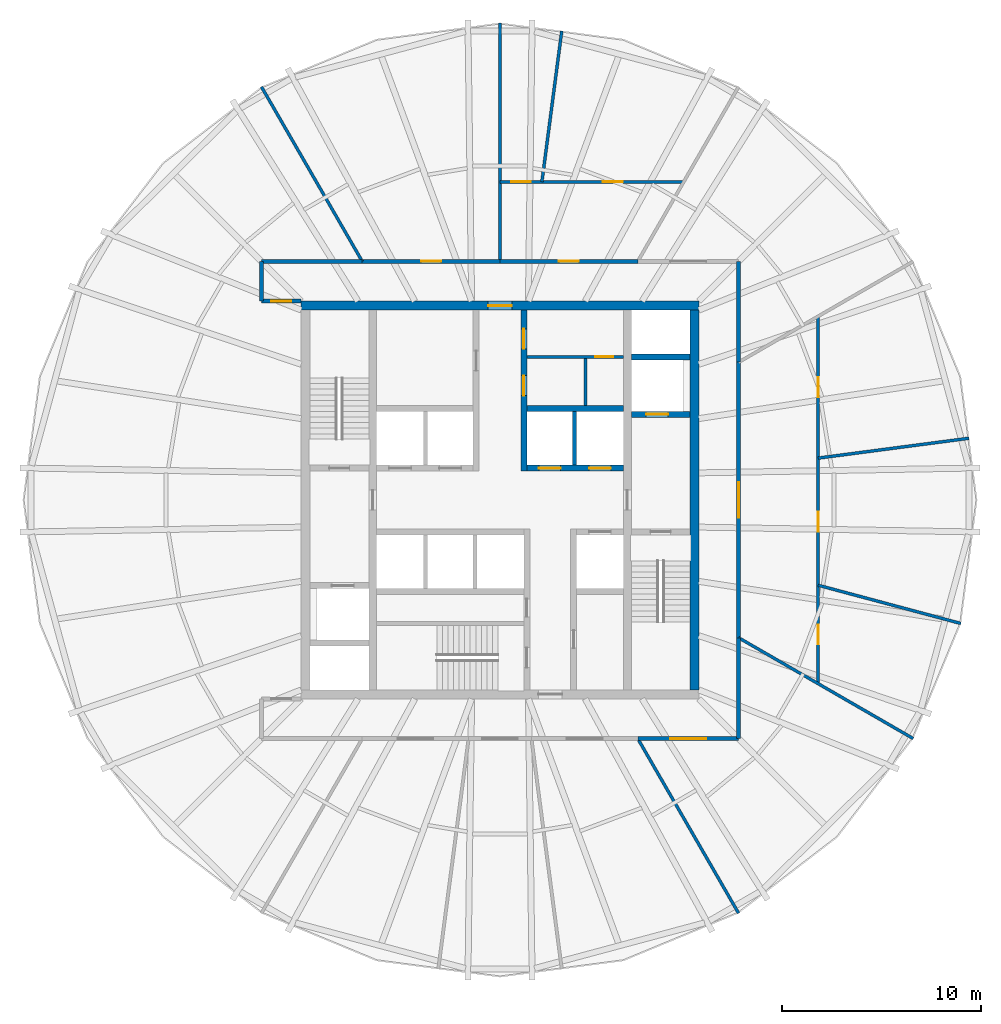
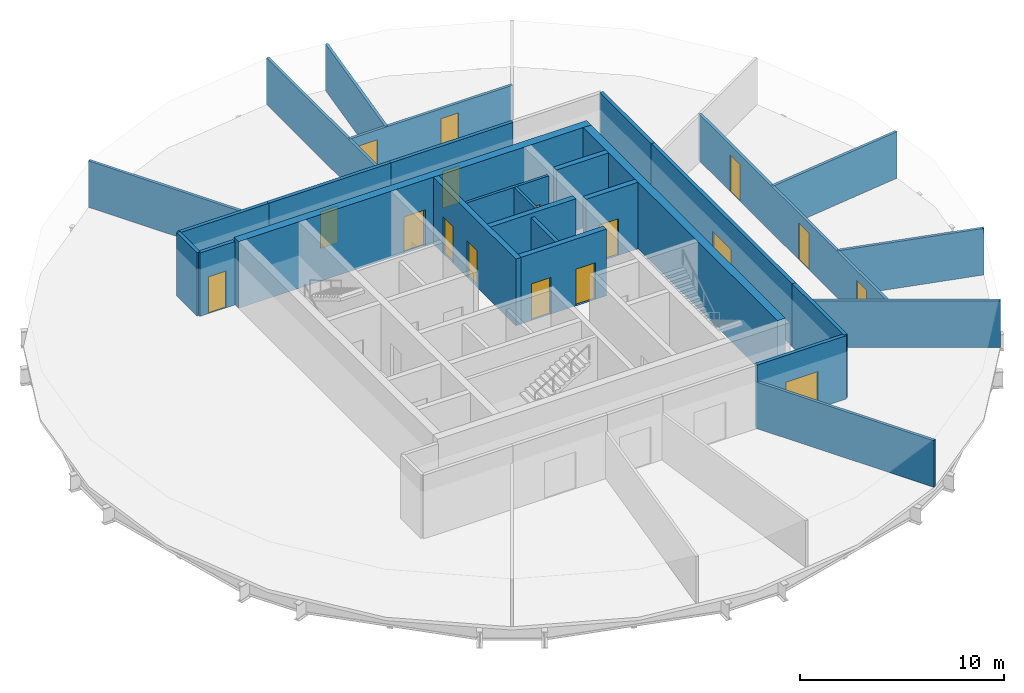
# One storey, part 4 of 6: 28 walls, 17 doors, 17 openings.
"""IFC4 building model written with IfcOpenShell, lengths in metres."""

from ifc_helpers import new_model, si_unit, direction, frame, frame_2d, origin, place, context, subcontext, project, spatial, rectangle, extrude, material, layer, layer_set, type_object, element, fill, save


model = new_model("IFC4")

# Units and contexts
model_context = context("Model", 3, precision=1e-05, world=origin(), true_north=direction((0.0, 1.0)))
body_context = subcontext(model_context, "Body", "Model", "MODEL_VIEW")
ifc_project = project(units=[si_unit("LENGTHUNIT", "METRE"), si_unit("AREAUNIT", "SQUARE_METRE"), si_unit("VOLUMEUNIT", "CUBIC_METRE"), si_unit("PLANEANGLEUNIT", "RADIAN"), si_unit("MASSUNIT", "GRAM", prefix="KILO")], contexts=[model_context])

# Site, building, storey
site_placement = place(None, origin())
site = spatial("IfcSite", under=ifc_project, at=site_placement, CompositionType="ELEMENT")
building_placement = place(site_placement, origin())
building = spatial("IfcBuilding", under=site, at=building_placement, Name="Golbaran Civic Tower", CompositionType="ELEMENT")
storey_placement = place(building_placement, frame((0.0, 0.0, 179.0)))
storey = spatial("IfcBuildingStorey", under=building, at=storey_placement, Name="L43", CompositionType="ELEMENT", Elevation=179.0)

# Wall, opening, door
ifc_material_1 = material(Name="Concrete block", Category="concrete")
ifc_layer_1 = layer(ifc_material_1, 0.14990234375, Name="Concrete block")
ifc_layer_set_1 = layer_set([ifc_layer_1], Name="Concrete block")
wall_type_1 = type_object("IfcWallType", Name="BLOCKWORK PARTITION 150", PredefinedType="PARTITIONING", material=ifc_layer_set_1)
wall_1_placement = place(storey_placement, frame((1.35009765625, 7.199951171875, 0.0), z_axis=(0.0, 0.0, 1.0), x_axis=(1.0, 0.0, 0.0)))
wall_1 = element("IfcWall", 1, at=wall_1_placement, inside=storey, type_object=wall_type_1, Name="Toilet block partition TN1 L43", PredefinedType="PARTITIONING", context=body_context, shape_type="SweptSolid", body=[
    extrude(rectangle(XDim=4.849853515625, YDim=0.14990234375, at=frame_2d((2.4248046875, 0.0))), origin(), (0.0, 0.0, 1.0), 3.75),
])
opening_1_placement = place(wall_1_placement, frame((3.449951171875, 0.0, 0.0)))
opening_1 = element("IfcOpeningElement", 2, at=opening_1_placement, cuts=wall_1, Name="Opening L43.CLN", PredefinedType="OPENING", context=body_context, shape_type="SweptSolid", body=[
    extrude(rectangle(XDim=0.89990234375, YDim=2.199951171875, at=frame_2d((0.449951171875, 1.10009765625))), frame((0.0, 0.0849609375, 0.0), z_axis=(0.0, -1.0, 0.0), x_axis=(1.0, 0.0, 0.0)), (0.0, 0.0, 1.0), 0.169921875),
])
ifc_material_2 = material(Name="Timber door set in steel frame", Category="steel")
door_type_1 = type_object("IfcDoorType", Name="RISER DOOR 900x2200", OperationType="SINGLE_SWING_LEFT", PredefinedType="DOOR", material=ifc_material_2)
door_1_placement = place(opening_1_placement, origin())
door_1 = element("IfcDoor", 3, at=door_1_placement, inside=storey, type_object=door_type_1, Name="Housekeeping Store door", OperationType="SINGLE_SWING_RIGHT", OverallHeight=2.199951171875, OverallWidth=0.89990234375, PredefinedType="DOOR", context=body_context, shape_type="SweptSolid", body=[
    extrude(rectangle(XDim=0.89990234375, YDim=2.199951171875, at=frame_2d((0.449951171875, 1.10009765625))), frame((0.0, 0.02490234375, 0.0), z_axis=(0.0, -1.0, 0.0), x_axis=(1.0, 0.0, 0.0)), (0.0, 0.0, 1.0), 0.050048828125),
])
fill(opening_1, door_1)

# Wall
wall_2_placement = place(storey_placement, frame((4.300048828125, 4.75, 0.0), z_axis=(0.0, 0.0, 1.0), x_axis=(0.0, 1.0, 0.0)))
element("IfcWall", 4, at=wall_2_placement, inside=storey, type_object=wall_type_1, Name="Toilet block partition TN2 L43", PredefinedType="PARTITIONING", context=body_context, shape_type="SweptSolid", body=[
    extrude(rectangle(XDim=2.375, YDim=0.14990234375, at=frame_2d((1.1875, 0.0))), origin(), (0.0, 0.0, 1.0), 3.75),
])

# Wall, opening, door
ifc_material_3 = material(Name="Concrete C50/60", Category="concrete")
ifc_layer_2 = layer(ifc_material_3, 0.449951171875, Name="Concrete C50/60")
ifc_layer_set_2 = layer_set([ifc_layer_2], Name="Concrete C50/60")
wall_type_2 = type_object("IfcWallType", Name="CORE WALL CONCRETE 450", PredefinedType="SOLIDWALL", material=ifc_layer_set_2)
wall_3_placement = place(storey_placement, frame((-10.0, 9.77490234375, 0.0), z_axis=(0.0, 0.0, 1.0), x_axis=(1.0, 0.0, 0.0)))
wall_3 = element("IfcWall", 5, at=wall_3_placement, inside=storey, type_object=wall_type_2, Name="Core wall CN L43", PredefinedType="SOLIDWALL", context=body_context, shape_type="SweptSolid", body=[
    extrude(rectangle(XDim=20.0, YDim=0.449951171875, at=frame_2d((10.0, 0.0))), origin(), (0.0, 0.0, 1.0), 4.0),
])
opening_2_placement = place(wall_3_placement, frame((9.39990234375, 0.0, 0.0)))
opening_2 = element("IfcOpeningElement", 6, at=opening_2_placement, cuts=wall_3, Name="Opening L43.CN", PredefinedType="OPENING", context=body_context, shape_type="SweptSolid", body=[
    extrude(rectangle(XDim=1.199951171875, YDim=2.199951171875, at=frame_2d((0.60009765625, 1.10009765625))), frame((0.0, 0.23486328125, 0.0), z_axis=(0.0, -1.0, 0.0), x_axis=(1.0, 0.0, 0.0)), (0.0, 0.0, 1.0), 0.469970703125),
])
door_type_2 = type_object("IfcDoorType", Name="CORE DOOR 1200x2200", OperationType="DOUBLE_DOOR_SINGLE_SWING", PredefinedType="DOOR", material=ifc_material_2)
door_2_placement = place(opening_2_placement, origin())
door_2 = element("IfcDoor", 7, at=door_2_placement, inside=storey, type_object=door_type_2, Name="Core door north", OperationType="DOUBLE_DOOR_SINGLE_SWING", OverallHeight=2.199951171875, OverallWidth=1.199951171875, PredefinedType="DOOR", context=body_context, shape_type="SweptSolid", body=[
    extrude(rectangle(XDim=1.199951171875, YDim=2.199951171875, at=frame_2d((0.60009765625, 1.10009765625))), frame((0.0, 0.02490234375, 0.0), z_axis=(0.0, -1.0, 0.0), x_axis=(1.0, 0.0, 0.0)), (0.0, 0.0, 1.0), 0.050048828125),
])
fill(opening_2, door_2)

# Wall
wall_4_placement = place(storey_placement, frame((9.77490234375, -9.550048828125, 0.0), z_axis=(0.0, 0.0, 1.0), x_axis=(0.0, 1.0, 0.0)))
element("IfcWall", 8, at=wall_4_placement, inside=storey, type_object=wall_type_2, Name="Core wall CE L43", PredefinedType="SOLIDWALL", context=body_context, shape_type="SweptSolid", body=[
    extrude(rectangle(XDim=19.10009765625, YDim=0.449951171875, at=frame_2d((9.550048828125, 0.0))), origin(), (0.0, 0.0, 1.0), 4.0),
])

# Wall, opening, door
ifc_material_4 = material(Name="Gypsum board on steel studs, fire-rated", Category="steel")
ifc_layer_3 = layer(ifc_material_4, 0.199951171875, Name="Gypsum board on steel studs, fire-rated")
ifc_layer_set_3 = layer_set([ifc_layer_3], Name="Gypsum board on steel studs, fire-rated")
wall_type_3 = type_object("IfcWallType", Name="CORRIDOR WALL 200", PredefinedType="PARTITIONING", material=ifc_layer_set_3)
wall_5_placement = place(storey_placement, frame((12.0, -6.92822265625, 0.0), z_axis=(0.0, 0.0, 1.0), x_axis=(0.0, 1.0, 0.0)))
wall_5 = element("IfcWall", 9, at=wall_5_placement, inside=storey, type_object=wall_type_3, Name="Corridor wall L43", PredefinedType="PARTITIONING", context=body_context, shape_type="SweptSolid", body=[
    extrude(rectangle(XDim=13.8564453125, YDim=0.199951171875, at=frame_2d((6.92822265625, 0.0))), origin(), (0.0, 0.0, 1.0), 3.800048828125),
])
opening_3_placement = place(wall_5_placement, frame((6.0283203125, 0.0, 0.0)))
opening_3 = element("IfcOpeningElement", 10, at=opening_3_placement, cuts=wall_5, Name="Opening L43.06", PredefinedType="OPENING", context=body_context, shape_type="SweptSolid", body=[
    extrude(rectangle(XDim=1.800048828125, YDim=2.199951171875, at=frame_2d((0.89990234375, 1.10009765625))), frame((0.0, 0.10986328125, 0.0), z_axis=(0.0, -1.0, 0.0), x_axis=(1.0, 0.0, 0.0)), (0.0, 0.0, 1.0), 0.219970703125),
])
door_type_3 = type_object("IfcDoorType", Name="OFFICE DOUBLE DOOR 1800x2200", OperationType="DOUBLE_DOOR_SINGLE_SWING", PredefinedType="DOOR", material=ifc_material_2)
door_3_placement = place(opening_3_placement, origin())
door_3 = element("IfcDoor", 11, at=door_3_placement, inside=storey, type_object=door_type_3, Name="Open Office door L43", OperationType="DOUBLE_DOOR_SINGLE_SWING", OverallHeight=2.199951171875, OverallWidth=1.800048828125, PredefinedType="DOOR", context=body_context, shape_type="SweptSolid", body=[
    extrude(rectangle(XDim=1.800048828125, YDim=2.199951171875, at=frame_2d((0.89990234375, 1.10009765625))), frame((0.0, 0.02490234375, 0.0), z_axis=(0.0, -1.0, 0.0), x_axis=(1.0, 0.0, 0.0)), (0.0, 0.0, 1.0), 0.050048828125),
])
fill(opening_3, door_3)

# Wall
wall_6_placement = place(storey_placement, frame((12.0, 6.92822265625, 0.0), z_axis=(0.0, 0.0, 1.0), x_axis=(0.0, 1.0, 0.0)))
element("IfcWall", 12, at=wall_6_placement, inside=storey, type_object=wall_type_3, Name="Corridor wall L43", PredefinedType="PARTITIONING", context=body_context, shape_type="SweptSolid", body=[
    extrude(rectangle(XDim=5.07177734375, YDim=0.199951171875, at=frame_2d((2.535888671875, 0.0))), origin(), (0.0, 0.0, 1.0), 3.800048828125),
])

# Wall, opening, door
wall_7_placement = place(storey_placement, frame((6.92822265625, 12.0, 0.0), z_axis=(0.0, 0.0, 1.0), x_axis=(-1.0, 0.0, 0.0)))
wall_7 = element("IfcWall", 13, at=wall_7_placement, inside=storey, type_object=wall_type_3, Name="Corridor wall L43", PredefinedType="PARTITIONING", context=body_context, shape_type="SweptSolid", body=[
    extrude(rectangle(XDim=6.92822265625, YDim=0.199951171875, at=frame_2d((3.464111328125, 0.0))), origin(), (0.0, 0.0, 1.0), 3.800048828125),
])
opening_4_placement = place(wall_7_placement, frame((2.964111328125, 0.0, 0.0)))
opening_4 = element("IfcOpeningElement", 14, at=opening_4_placement, cuts=wall_7, Name="Opening L43.08", PredefinedType="OPENING", context=body_context, shape_type="SweptSolid", body=[
    extrude(rectangle(XDim=1.0, YDim=2.199951171875, at=frame_2d((0.5, 1.10009765625))), frame((0.0, 0.10986328125, 0.0), z_axis=(0.0, -1.0, 0.0), x_axis=(1.0, 0.0, 0.0)), (0.0, 0.0, 1.0), 0.219970703125),
])
door_type_4 = type_object("IfcDoorType", Name="OFFICE DOOR 1000x2200", OperationType="SINGLE_SWING_LEFT", PredefinedType="DOOR", material=ifc_material_2)
door_4_placement = place(opening_4_placement, origin())
door_4 = element("IfcDoor", 15, at=door_4_placement, inside=storey, type_object=door_type_4, Name="Waiting Area door L43", OperationType="SINGLE_SWING_RIGHT", OverallHeight=2.199951171875, OverallWidth=1.0, PredefinedType="DOOR", context=body_context, shape_type="SweptSolid", body=[
    extrude(rectangle(XDim=1.0, YDim=2.199951171875, at=frame_2d((0.5, 1.10009765625))), frame((0.0, 0.02490234375, 0.0), z_axis=(0.0, -1.0, 0.0), x_axis=(1.0, 0.0, 0.0)), (0.0, 0.0, 1.0), 0.050048828125),
])
fill(opening_4, door_4)

wall_8_placement = place(storey_placement, frame((0.0, 12.0, 0.0), z_axis=(0.0, 0.0, 1.0), x_axis=(-1.0, 0.0, 0.0)))
wall_8 = element("IfcWall", 16, at=wall_8_placement, inside=storey, type_object=wall_type_3, Name="Corridor wall L43", PredefinedType="PARTITIONING", context=body_context, shape_type="SweptSolid", body=[
    extrude(rectangle(XDim=6.92822265625, YDim=0.199951171875, at=frame_2d((3.464111328125, 0.0))), origin(), (0.0, 0.0, 1.0), 3.800048828125),
])
opening_5_placement = place(wall_8_placement, frame((2.964111328125, 0.0, 0.0)))
opening_5 = element("IfcOpeningElement", 17, at=opening_5_placement, cuts=wall_8, Name="Opening L43.09", PredefinedType="OPENING", context=body_context, shape_type="SweptSolid", body=[
    extrude(rectangle(XDim=1.0, YDim=2.199951171875, at=frame_2d((0.5, 1.10009765625))), frame((0.0, 0.10986328125, 0.0), z_axis=(0.0, -1.0, 0.0), x_axis=(1.0, 0.0, 0.0)), (0.0, 0.0, 1.0), 0.219970703125),
])
door_5_placement = place(opening_5_placement, origin())
door_5 = element("IfcDoor", 18, at=door_5_placement, inside=storey, type_object=door_type_4, Name="Project Room door L43", OperationType="SINGLE_SWING_RIGHT", OverallHeight=2.199951171875, OverallWidth=1.0, PredefinedType="DOOR", context=body_context, shape_type="SweptSolid", body=[
    extrude(rectangle(XDim=1.0, YDim=2.199951171875, at=frame_2d((0.5, 1.10009765625))), frame((0.0, 0.02490234375, 0.0), z_axis=(0.0, -1.0, 0.0), x_axis=(1.0, 0.0, 0.0)), (0.0, 0.0, 1.0), 0.050048828125),
])
fill(opening_5, door_5)

# Walls
wall_9_placement = place(storey_placement, frame((-6.92822265625, 12.0, 0.0), z_axis=(0.0, 0.0, 1.0), x_axis=(-1.0, 0.0, 0.0)))
element("IfcWall", 19, at=wall_9_placement, inside=storey, type_object=wall_type_3, Name="Corridor wall L43", PredefinedType="PARTITIONING", context=body_context, shape_type="SweptSolid", body=[
    extrude(rectangle(XDim=5.07177734375, YDim=0.199951171875, at=frame_2d((2.535888671875, 0.0))), origin(), (0.0, 0.0, 1.0), 3.800048828125),
])
wall_10_placement = place(storey_placement, frame((-12.0, 12.0, 0.0), z_axis=(0.0, 0.0, 1.0), x_axis=(0.0, -1.0, 0.0)))
element("IfcWall", 20, at=wall_10_placement, inside=storey, type_object=wall_type_3, Name="Corridor wall L43", PredefinedType="PARTITIONING", context=body_context, shape_type="SweptSolid", body=[
    extrude(rectangle(XDim=2.0, YDim=0.199951171875, at=frame_2d((1.0, 0.0))), origin(), (0.0, 0.0, 1.0), 3.800048828125),
])

# Wall, opening, door
wall_11_placement = place(storey_placement, frame((6.92822265625, -12.0, 0.0), z_axis=(0.0, 0.0, 1.0), x_axis=(1.0, 0.0, 0.0)))
wall_11 = element("IfcWall", 21, at=wall_11_placement, inside=storey, type_object=wall_type_3, Name="Corridor wall L43", PredefinedType="PARTITIONING", context=body_context, shape_type="SweptSolid", body=[
    extrude(rectangle(XDim=5.07177734375, YDim=0.199951171875, at=frame_2d((2.535888671875, 0.0))), origin(), (0.0, 0.0, 1.0), 3.800048828125),
])
opening_6_placement = place(wall_11_placement, frame((1.635986328125, 0.0, 0.0)))
opening_6 = element("IfcOpeningElement", 22, at=opening_6_placement, cuts=wall_11, Name="Opening L43.13", PredefinedType="OPENING", context=body_context, shape_type="SweptSolid", body=[
    extrude(rectangle(XDim=1.800048828125, YDim=2.199951171875, at=frame_2d((0.89990234375, 1.10009765625))), frame((0.0, 0.10986328125, 0.0), z_axis=(0.0, -1.0, 0.0), x_axis=(1.0, 0.0, 0.0)), (0.0, 0.0, 1.0), 0.219970703125),
])
door_6_placement = place(opening_6_placement, origin())
door_6 = element("IfcDoor", 23, at=door_6_placement, inside=storey, type_object=door_type_3, Name="Open Office door L43", OperationType="DOUBLE_DOOR_SINGLE_SWING", OverallHeight=2.199951171875, OverallWidth=1.800048828125, PredefinedType="DOOR", context=body_context, shape_type="SweptSolid", body=[
    extrude(rectangle(XDim=1.800048828125, YDim=2.199951171875, at=frame_2d((0.89990234375, 1.10009765625))), frame((0.0, 0.02490234375, 0.0), z_axis=(0.0, -1.0, 0.0), x_axis=(1.0, 0.0, 0.0)), (0.0, 0.0, 1.0), 0.050048828125),
])
fill(opening_6, door_6)

# Wall
wall_12_placement = place(storey_placement, frame((12.0, -12.0, 0.0), z_axis=(0.0, 0.0, 1.0), x_axis=(0.0, 1.0, 0.0)))
element("IfcWall", 24, at=wall_12_placement, inside=storey, type_object=wall_type_3, Name="Corridor wall L43", PredefinedType="PARTITIONING", context=body_context, shape_type="SweptSolid", body=[
    extrude(rectangle(XDim=5.07177734375, YDim=0.199951171875, at=frame_2d((2.535888671875, 0.0))), origin(), (0.0, 0.0, 1.0), 3.800048828125),
])

# Wall, opening, door
wall_13_placement = place(storey_placement, frame((-10.0, 10.0, 0.0), z_axis=(0.0, 0.0, 1.0), x_axis=(-1.0, 0.0, 0.0)))
wall_13 = element("IfcWall", 25, at=wall_13_placement, inside=storey, type_object=wall_type_3, Name="Corridor end wall L43", PredefinedType="PARTITIONING", context=body_context, shape_type="SweptSolid", body=[
    extrude(rectangle(XDim=2.0, YDim=0.199951171875, at=frame_2d((1.0, 0.0))), origin(), (0.0, 0.0, 1.0), 3.800048828125),
])
opening_7_placement = place(wall_13_placement, frame((0.5, 0.0, 0.0)))
opening_7 = element("IfcOpeningElement", 26, at=opening_7_placement, cuts=wall_13, Name="Opening L43.15", PredefinedType="OPENING", context=body_context, shape_type="SweptSolid", body=[
    extrude(rectangle(XDim=1.0, YDim=2.199951171875, at=frame_2d((0.5, 1.10009765625))), frame((0.0, 0.10986328125, 0.0), z_axis=(0.0, -1.0, 0.0), x_axis=(1.0, 0.0, 0.0)), (0.0, 0.0, 1.0), 0.219970703125),
])
door_7_placement = place(opening_7_placement, origin())
door_7 = element("IfcDoor", 27, at=door_7_placement, inside=storey, type_object=door_type_4, Name="Open Office door L43", OperationType="SINGLE_SWING_RIGHT", OverallHeight=2.199951171875, OverallWidth=1.0, PredefinedType="DOOR", context=body_context, shape_type="SweptSolid", body=[
    extrude(rectangle(XDim=1.0, YDim=2.199951171875, at=frame_2d((0.5, 1.10009765625))), frame((0.0, 0.02490234375, 0.0), z_axis=(0.0, -1.0, 0.0), x_axis=(1.0, 0.0, 0.0)), (0.0, 0.0, 1.0), 0.050048828125),
])
fill(opening_7, door_7)

# Walls
ifc_layer_4 = layer(ifc_material_1, 0.199951171875, Name="Concrete block")
ifc_layer_set_4 = layer_set([ifc_layer_4], Name="Concrete block")
wall_type_4 = type_object("IfcWallType", Name="LIFT SEPARATOR WALL 200", PredefinedType="SOLIDWALL", material=ifc_layer_set_4)
wall_14_placement = place(storey_placement, frame((3.75, 1.75, 0.0), z_axis=(0.0, 0.0, 1.0), x_axis=(0.0, 1.0, 0.0)))
element("IfcWall", 28, at=wall_14_placement, inside=storey, type_object=wall_type_4, Name="Core partition SNE L43", PredefinedType="SOLIDWALL", context=body_context, shape_type="SweptSolid", body=[
    extrude(rectangle(XDim=2.699951171875, YDim=0.199951171875, at=frame_2d((1.35009765625, 0.0))), origin(), (0.0, 0.0, 1.0), 3.75),
])
ifc_material_5 = material(Name="Gypsum board on steel studs", Category="steel")
ifc_layer_5 = layer(ifc_material_5, 0.14990234375, Name="Gypsum board on steel studs")
ifc_layer_set_5 = layer_set([ifc_layer_5], Name="Gypsum board on steel studs")
wall_type_5 = type_object("IfcWallType", Name="OFFICE PARTITION 150", PredefinedType="PARTITIONING", material=ifc_layer_set_5)
wall_15_placement = place(storey_placement, frame((12.0, -6.92822265625, 0.0), z_axis=(0.0, 0.0, 1.0), x_axis=(0.866025941747, -0.49999906822, 0.0)))
element("IfcWall", 29, at=wall_15_placement, inside=storey, type_object=wall_type_5, Name="Partition 330 L43", PredefinedType="PARTITIONING", context=body_context, shape_type="SweptSolid", body=[
    extrude(rectangle(XDim=10.1357421875, YDim=0.14990234375, at=frame_2d((5.06787109375, 0.0))), origin(), (0.0, 0.0, 1.0), 2.7900390625),
])
wall_16_placement = place(storey_placement, frame((0.0, 12.0, 0.0), z_axis=(0.0, 0.0, 1.0), x_axis=(0.0, 1.0, 0.0)))
element("IfcWall", 30, at=wall_16_placement, inside=storey, type_object=wall_type_5, Name="Partition 90 L43", PredefinedType="PARTITIONING", context=body_context, shape_type="SweptSolid", body=[
    extrude(rectangle(XDim=11.9921875, YDim=0.14990234375, at=frame_2d((5.99609375, 0.0))), origin(), (0.0, 0.0, 1.0), 2.7900390625),
])
for number, where, z_axis, x_axis, name in (
    (31, (-6.92822265625, 12.0, 0.0), (0.0, 0.0, 1.0), (-0.49999906822, 0.866025941747, 0.0), "Partition 120 L43"),
    (32, (6.92822265625, -12.0, 0.0), (0.0, 0.0, 1.0), (0.49999906822, -0.866025941747, 0.0), "Partition 300 L43"),
):
    element("IfcWall", number, at=place(storey_placement, frame(where, z_axis=z_axis, x_axis=x_axis)), inside=storey, type_object=wall_type_5, Name=name, PredefinedType="PARTITIONING", context=body_context, shape_type="SweptSolid", body=[
        extrude(rectangle(XDim=10.1357421875, YDim=0.14990234375, at=frame_2d((5.06787109375, 0.0))), origin(), (0.0, 0.0, 1.0), 2.7900390625),
    ])

# Wall, openings, doors
wall_17_placement = place(storey_placement, frame((16.0, -9.237548828125, 0.0), z_axis=(0.0, 0.0, 1.0), x_axis=(0.0, 1.0, 0.0)))
wall_17 = element("IfcWall", 33, at=wall_17_placement, inside=storey, type_object=wall_type_5, Name="Suite partition L43", PredefinedType="PARTITIONING", context=body_context, shape_type="SweptSolid", body=[
    extrude(rectangle(XDim=18.47509765625, YDim=0.14990234375, at=frame_2d((9.237548828125, 0.0))), origin(), (0.0, 0.0, 1.0), 2.7900390625),
])
opening_8_placement = place(wall_17_placement, frame((1.97509765625, 0.0, 0.0)))
opening_8 = element("IfcOpeningElement", 34, at=opening_8_placement, cuts=wall_17, Name="Opening L43.01", PredefinedType="OPENING", context=body_context, shape_type="SweptSolid", body=[
    extrude(rectangle(XDim=1.0, YDim=2.199951171875, at=frame_2d((0.5, 1.10009765625))), frame((0.0, 0.0849609375, 0.0), z_axis=(0.0, -1.0, 0.0), x_axis=(1.0, 0.0, 0.0)), (0.0, 0.0, 1.0), 0.169921875),
])
opening_9_placement = place(wall_17_placement, frame((7.647216796875, 0.0, 0.0)))
opening_9 = element("IfcOpeningElement", 35, at=opening_9_placement, cuts=wall_17, Name="Opening L43.02", PredefinedType="OPENING", context=body_context, shape_type="SweptSolid", body=[
    extrude(rectangle(XDim=1.0, YDim=2.199951171875, at=frame_2d((0.5, 1.10009765625))), frame((0.0, 0.0849609375, 0.0), z_axis=(0.0, -1.0, 0.0), x_axis=(1.0, 0.0, 0.0)), (0.0, 0.0, 1.0), 0.169921875),
])
opening_10_placement = place(wall_17_placement, frame((14.40966796875, 0.0, 0.0)))
opening_10 = element("IfcOpeningElement", 36, at=opening_10_placement, cuts=wall_17, Name="Opening L43.03", PredefinedType="OPENING", context=body_context, shape_type="SweptSolid", body=[
    extrude(rectangle(XDim=1.0, YDim=2.199951171875, at=frame_2d((0.5, 1.10009765625))), frame((0.0, 0.0849609375, 0.0), z_axis=(0.0, -1.0, 0.0), x_axis=(1.0, 0.0, 0.0)), (0.0, 0.0, 1.0), 0.169921875),
])
door_8_placement = place(opening_8_placement, origin())
door_8 = element("IfcDoor", 37, at=door_8_placement, inside=storey, type_object=door_type_4, Name="Server Room door L43", OperationType="SINGLE_SWING_LEFT", OverallHeight=2.199951171875, OverallWidth=1.0, PredefinedType="DOOR", context=body_context, shape_type="SweptSolid", body=[
    extrude(rectangle(XDim=1.0, YDim=2.199951171875, at=frame_2d((0.5, 1.10009765625))), frame((0.0, 0.02490234375, 0.0), z_axis=(0.0, -1.0, 0.0), x_axis=(1.0, 0.0, 0.0)), (0.0, 0.0, 1.0), 0.050048828125),
])
fill(opening_8, door_8)
door_9_placement = place(opening_9_placement, origin())
door_9 = element("IfcDoor", 38, at=door_9_placement, inside=storey, type_object=door_type_4, Name="Project Room door L43", OperationType="SINGLE_SWING_LEFT", OverallHeight=2.199951171875, OverallWidth=1.0, PredefinedType="DOOR", context=body_context, shape_type="SweptSolid", body=[
    extrude(rectangle(XDim=1.0, YDim=2.199951171875, at=frame_2d((0.5, 1.10009765625))), frame((0.0, 0.02490234375, 0.0), z_axis=(0.0, -1.0, 0.0), x_axis=(1.0, 0.0, 0.0)), (0.0, 0.0, 1.0), 0.050048828125),
])
fill(opening_9, door_9)
door_10_placement = place(opening_10_placement, origin())
door_10 = element("IfcDoor", 39, at=door_10_placement, inside=storey, type_object=door_type_4, Name="Office door L43", OperationType="SINGLE_SWING_RIGHT", OverallHeight=2.199951171875, OverallWidth=1.0, PredefinedType="DOOR", context=body_context, shape_type="SweptSolid", body=[
    extrude(rectangle(XDim=1.0, YDim=2.199951171875, at=frame_2d((0.5, 1.10009765625))), frame((0.0, 0.02490234375, 0.0), z_axis=(0.0, -1.0, 0.0), x_axis=(1.0, 0.0, 0.0)), (0.0, 0.0, 1.0), 0.050048828125),
])
fill(opening_10, door_10)

# Walls
wall_18_placement = place(storey_placement, frame((16.0, -4.287109375, 0.0), z_axis=(0.0, 0.0, 1.0), x_axis=(0.965921642632, -0.258834658219, 0.0)))
element("IfcWall", 40, at=wall_18_placement, inside=storey, type_object=wall_type_5, Name="Partition 345 L43", PredefinedType="PARTITIONING", context=body_context, shape_type="SweptSolid", body=[
    extrude(rectangle(XDim=7.427978515625, YDim=0.14990234375, at=frame_2d((3.7138671875, 0.0))), origin(), (0.0, 0.0, 1.0), 2.7900390625),
])
wall_19_placement = place(storey_placement, frame((16.0, 2.1064453125, 0.0), z_axis=(0.0, 0.0, 1.0), x_axis=(0.991446471711, 0.130513959913, 0.0)))
element("IfcWall", 41, at=wall_19_placement, inside=storey, type_object=wall_type_5, Name="Partition 7.5 L43", PredefinedType="PARTITIONING", context=body_context, shape_type="SweptSolid", body=[
    extrude(rectangle(XDim=7.64892578125, YDim=0.14990234375, at=frame_2d((3.824462890625, 0.0))), origin(), (0.0, 0.0, 1.0), 2.7900390625),
])

# Wall, openings, doors
wall_20_placement = place(storey_placement, frame((9.237548828125, 16.0, 0.0), z_axis=(0.0, 0.0, 1.0), x_axis=(-1.0, 0.0, 0.0)))
wall_20 = element("IfcWall", 42, at=wall_20_placement, inside=storey, type_object=wall_type_5, Name="Suite partition L43", PredefinedType="PARTITIONING", context=body_context, shape_type="SweptSolid", body=[
    extrude(rectangle(XDim=9.237548828125, YDim=0.14990234375, at=frame_2d((4.61865234375, 0.0))), origin(), (0.0, 0.0, 1.0), 2.7900390625),
])
opening_11_placement = place(wall_20_placement, frame((3.065673828125, 0.0, 0.0)))
opening_11 = element("IfcOpeningElement", 43, at=opening_11_placement, cuts=wall_20, Name="Opening L43.04", PredefinedType="OPENING", context=body_context, shape_type="SweptSolid", body=[
    extrude(rectangle(XDim=1.0, YDim=2.199951171875, at=frame_2d((0.5, 1.10009765625))), frame((0.0, 0.0849609375, 0.0), z_axis=(0.0, -1.0, 0.0), x_axis=(1.0, 0.0, 0.0)), (0.0, 0.0, 1.0), 0.169921875),
])
opening_12_placement = place(wall_20_placement, frame((7.684326171875, 0.0, 0.0)))
opening_12 = element("IfcOpeningElement", 44, at=opening_12_placement, cuts=wall_20, Name="Opening L43.05", PredefinedType="OPENING", context=body_context, shape_type="SweptSolid", body=[
    extrude(rectangle(XDim=1.0, YDim=2.199951171875, at=frame_2d((0.5, 1.10009765625))), frame((0.0, 0.0849609375, 0.0), z_axis=(0.0, -1.0, 0.0), x_axis=(1.0, 0.0, 0.0)), (0.0, 0.0, 1.0), 0.169921875),
])
door_11_placement = place(opening_11_placement, origin())
door_11 = element("IfcDoor", 45, at=door_11_placement, inside=storey, type_object=door_type_4, Name="Director's Office door L43", OperationType="SINGLE_SWING_LEFT", OverallHeight=2.199951171875, OverallWidth=1.0, PredefinedType="DOOR", context=body_context, shape_type="SweptSolid", body=[
    extrude(rectangle(XDim=1.0, YDim=2.199951171875, at=frame_2d((0.5, 1.10009765625))), frame((0.0, 0.02490234375, 0.0), z_axis=(0.0, -1.0, 0.0), x_axis=(1.0, 0.0, 0.0)), (0.0, 0.0, 1.0), 0.050048828125),
])
fill(opening_11, door_11)
door_12_placement = place(opening_12_placement, origin())
door_12 = element("IfcDoor", 46, at=door_12_placement, inside=storey, type_object=door_type_4, Name="Office door L43", OperationType="SINGLE_SWING_RIGHT", OverallHeight=2.199951171875, OverallWidth=1.0, PredefinedType="DOOR", context=body_context, shape_type="SweptSolid", body=[
    extrude(rectangle(XDim=1.0, YDim=2.199951171875, at=frame_2d((0.5, 1.10009765625))), frame((0.0, 0.02490234375, 0.0), z_axis=(0.0, -1.0, 0.0), x_axis=(1.0, 0.0, 0.0)), (0.0, 0.0, 1.0), 0.050048828125),
])
fill(opening_12, door_12)

# Wall
wall_21_placement = place(storey_placement, frame((2.1064453125, 16.0, 0.0), z_axis=(0.0, 0.0, 1.0), x_axis=(0.130513959913, 0.991446471711, 0.0)))
element("IfcWall", 47, at=wall_21_placement, inside=storey, type_object=wall_type_5, Name="Partition 82.5 L43", PredefinedType="PARTITIONING", context=body_context, shape_type="SweptSolid", body=[
    extrude(rectangle(XDim=7.64892578125, YDim=0.14990234375, at=frame_2d((3.824462890625, 0.0))), origin(), (0.0, 0.0, 1.0), 2.7900390625),
])

# Wall, openings, doors
ifc_layer_6 = layer(ifc_material_3, 0.300048828125, Name="Concrete C50/60")
ifc_layer_set_6 = layer_set([ifc_layer_6], Name="Concrete C50/60")
wall_type_6 = type_object("IfcWallType", Name="SHAFT WALL CONCRETE 300", PredefinedType="SOLIDWALL", material=ifc_layer_set_6)
wall_22_placement = place(storey_placement, frame((1.35009765625, 1.60009765625, 0.0), z_axis=(0.0, 0.0, 1.0), x_axis=(1.0, 0.0, 0.0)))
wall_22 = element("IfcWall", 48, at=wall_22_placement, inside=storey, type_object=wall_type_6, Name="Core wall FNE L43", PredefinedType="SOLIDWALL", context=body_context, shape_type="SweptSolid", body=[
    extrude(rectangle(XDim=4.849853515625, YDim=0.300048828125, at=frame_2d((2.4248046875, 0.0))), origin(), (0.0, 0.0, 1.0), 4.0),
])
opening_13_placement = place(wall_22_placement, frame((0.60009765625, 0.0, 0.0)))
opening_13 = element("IfcOpeningElement", 49, at=opening_13_placement, cuts=wall_22, Name="Opening L43.LD-Z3H", PredefinedType="OPENING", context=body_context, shape_type="SweptSolid", body=[
    extrude(rectangle(XDim=1.10009765625, YDim=2.199951171875, at=frame_2d((0.550048828125, 1.10009765625))), frame((0.0, 0.159912109375, 0.0), z_axis=(0.0, -1.0, 0.0), x_axis=(1.0, 0.0, 0.0)), (0.0, 0.0, 1.0), 0.320068359375),
])
opening_14_placement = place(wall_22_placement, frame((3.125, 0.0, 0.0)))
opening_14 = element("IfcOpeningElement", 50, at=opening_14_placement, cuts=wall_22, Name="Opening L43.LD-Z4H", PredefinedType="OPENING", context=body_context, shape_type="SweptSolid", body=[
    extrude(rectangle(XDim=1.10009765625, YDim=2.199951171875, at=frame_2d((0.550048828125, 1.10009765625))), frame((0.0, 0.159912109375, 0.0), z_axis=(0.0, -1.0, 0.0), x_axis=(1.0, 0.0, 0.0)), (0.0, 0.0, 1.0), 0.320068359375),
])
ifc_material_6 = material(Name="Stainless steel", Category="steel")
door_type_5 = type_object("IfcDoorType", Name="LIFT LANDING DOOR 1100x2200", OperationType="SLIDING_TO_LEFT", PredefinedType="DOOR", material=ifc_material_6)
door_13_placement = place(opening_13_placement, origin())
door_13 = element("IfcDoor", 51, at=door_13_placement, inside=storey, type_object=door_type_5, Name="Lift landing door Z3H", OperationType="SLIDING_TO_LEFT", OverallHeight=2.199951171875, OverallWidth=1.10009765625, PredefinedType="DOOR", context=body_context, shape_type="SweptSolid", body=[
    extrude(rectangle(XDim=1.10009765625, YDim=2.199951171875, at=frame_2d((0.550048828125, 1.10009765625))), frame((0.0, 0.02490234375, 0.0), z_axis=(0.0, -1.0, 0.0), x_axis=(1.0, 0.0, 0.0)), (0.0, 0.0, 1.0), 0.050048828125),
])
fill(opening_13, door_13)
door_14_placement = place(opening_14_placement, origin())
door_14 = element("IfcDoor", 52, at=door_14_placement, inside=storey, type_object=door_type_5, Name="Lift landing door Z4H", OperationType="SLIDING_TO_LEFT", OverallHeight=2.199951171875, OverallWidth=1.10009765625, PredefinedType="DOOR", context=body_context, shape_type="SweptSolid", body=[
    extrude(rectangle(XDim=1.10009765625, YDim=2.199951171875, at=frame_2d((0.550048828125, 1.10009765625))), frame((0.0, 0.02490234375, 0.0), z_axis=(0.0, -1.0, 0.0), x_axis=(1.0, 0.0, 0.0)), (0.0, 0.0, 1.0), 0.050048828125),
])
fill(opening_14, door_14)

# Wall
wall_23_placement = place(storey_placement, frame((1.35009765625, 4.60009765625, 0.0), z_axis=(0.0, 0.0, 1.0), x_axis=(1.0, 0.0, 0.0)))
element("IfcWall", 53, at=wall_23_placement, inside=storey, type_object=wall_type_6, Name="Core wall BNE L43", PredefinedType="SOLIDWALL", context=body_context, shape_type="SweptSolid", body=[
    extrude(rectangle(XDim=4.849853515625, YDim=0.300048828125, at=frame_2d((2.4248046875, 0.0))), origin(), (0.0, 0.0, 1.0), 4.0),
])

# Wall, openings, doors
wall_24_placement = place(storey_placement, frame((1.199951171875, 1.449951171875, 0.0), z_axis=(0.0, 0.0, 1.0), x_axis=(0.0, 1.0, 0.0)))
wall_24 = element("IfcWall", 54, at=wall_24_placement, inside=storey, type_object=wall_type_6, Name="Core wall PNE L43", PredefinedType="SOLIDWALL", context=body_context, shape_type="SweptSolid", body=[
    extrude(rectangle(XDim=8.10009765625, YDim=0.300048828125, at=frame_2d((4.050048828125, 0.0))), origin(), (0.0, 0.0, 1.0), 4.0),
])
opening_15_placement = place(wall_24_placement, frame((3.800048828125, 0.0, 0.0)))
opening_15 = element("IfcOpeningElement", 55, at=opening_15_placement, cuts=wall_24, Name="Opening L43.WCA", PredefinedType="OPENING", context=body_context, shape_type="SweptSolid", body=[
    extrude(rectangle(XDim=1.0, YDim=2.199951171875, at=frame_2d((0.5, 1.10009765625))), frame((0.0, 0.159912109375, 0.0), z_axis=(0.0, -1.0, 0.0), x_axis=(1.0, 0.0, 0.0)), (0.0, 0.0, 1.0), 0.320068359375),
])
opening_16_placement = place(wall_24_placement, frame((6.14990234375, 0.0, 0.0)))
opening_16 = element("IfcOpeningElement", 56, at=opening_16_placement, cuts=wall_24, Name="Opening L43.WCF", PredefinedType="OPENING", context=body_context, shape_type="SweptSolid", body=[
    extrude(rectangle(XDim=1.0, YDim=2.199951171875, at=frame_2d((0.5, 1.10009765625))), frame((0.0, 0.159912109375, 0.0), z_axis=(0.0, -1.0, 0.0), x_axis=(1.0, 0.0, 0.0)), (0.0, 0.0, 1.0), 0.320068359375),
])
door_type_6 = type_object("IfcDoorType", Name="TOILET DOOR 1000x2200", OperationType="SINGLE_SWING_LEFT", PredefinedType="DOOR", material=ifc_material_2)
door_15_placement = place(opening_15_placement, origin())
door_15 = element("IfcDoor", 57, at=door_15_placement, inside=storey, type_object=door_type_6, Name="Accessible WC door", OperationType="SINGLE_SWING_RIGHT", OverallHeight=2.199951171875, OverallWidth=1.0, PredefinedType="DOOR", context=body_context, shape_type="SweptSolid", body=[
    extrude(rectangle(XDim=1.0, YDim=2.199951171875, at=frame_2d((0.5, 1.10009765625))), frame((0.0, 0.02490234375, 0.0), z_axis=(0.0, -1.0, 0.0), x_axis=(1.0, 0.0, 0.0)), (0.0, 0.0, 1.0), 0.050048828125),
])
fill(opening_15, door_15)
door_16_placement = place(opening_16_placement, origin())
door_16 = element("IfcDoor", 58, at=door_16_placement, inside=storey, type_object=door_type_6, Name="North-east toilet block door", OperationType="SINGLE_SWING_RIGHT", OverallHeight=2.199951171875, OverallWidth=1.0, PredefinedType="DOOR", context=body_context, shape_type="SweptSolid", body=[
    extrude(rectangle(XDim=1.0, YDim=2.199951171875, at=frame_2d((0.5, 1.10009765625))), frame((0.0, 0.02490234375, 0.0), z_axis=(0.0, -1.0, 0.0), x_axis=(1.0, 0.0, 0.0)), (0.0, 0.0, 1.0), 0.050048828125),
])
fill(opening_16, door_16)

# Wall, opening, door
wall_25_placement = place(storey_placement, frame((6.60009765625, 4.300048828125, 0.0), z_axis=(0.0, 0.0, 1.0), x_axis=(1.0, 0.0, 0.0)))
wall_25 = element("IfcWall", 59, at=wall_25_placement, inside=storey, type_object=wall_type_6, Name="Core wall XE2 L43", PredefinedType="SOLIDWALL", context=body_context, shape_type="SweptSolid", body=[
    extrude(rectangle(XDim=2.949951171875, YDim=0.300048828125, at=frame_2d((1.47509765625, 0.0))), origin(), (0.0, 0.0, 1.0), 4.0),
])
opening_17_placement = place(wall_25_placement, frame((0.75, 0.0, 0.0)))
opening_17 = element("IfcOpeningElement", 60, at=opening_17_placement, cuts=wall_25, Name="Opening L43.LD-F2", PredefinedType="OPENING", context=body_context, shape_type="SweptSolid", body=[
    extrude(rectangle(XDim=1.10009765625, YDim=2.199951171875, at=frame_2d((0.550048828125, 1.10009765625))), frame((0.0, 0.159912109375, 0.0), z_axis=(0.0, -1.0, 0.0), x_axis=(1.0, 0.0, 0.0)), (0.0, 0.0, 1.0), 0.320068359375),
])
door_17_placement = place(opening_17_placement, origin())
door_17 = element("IfcDoor", 61, at=door_17_placement, inside=storey, type_object=door_type_5, Name="Lift landing door F2", OperationType="SLIDING_TO_LEFT", OverallHeight=2.199951171875, OverallWidth=1.10009765625, PredefinedType="DOOR", context=body_context, shape_type="SweptSolid", body=[
    extrude(rectangle(XDim=1.10009765625, YDim=2.199951171875, at=frame_2d((0.550048828125, 1.10009765625))), frame((0.0, 0.02490234375, 0.0), z_axis=(0.0, -1.0, 0.0), x_axis=(1.0, 0.0, 0.0)), (0.0, 0.0, 1.0), 0.050048828125),
])
fill(opening_17, door_17)

# Wall
wall_26_placement = place(storey_placement, frame((6.60009765625, 7.199951171875, 0.0), z_axis=(0.0, 0.0, 1.0), x_axis=(1.0, 0.0, 0.0)))
element("IfcWall", 62, at=wall_26_placement, inside=storey, type_object=wall_type_6, Name="Core wall XE3 L43", PredefinedType="SOLIDWALL", context=body_context, shape_type="SweptSolid", body=[
    extrude(rectangle(XDim=2.949951171875, YDim=0.300048828125, at=frame_2d((1.47509765625, 0.0))), origin(), (0.0, 0.0, 1.0), 4.0),
])

save(model, "model.ifc")
